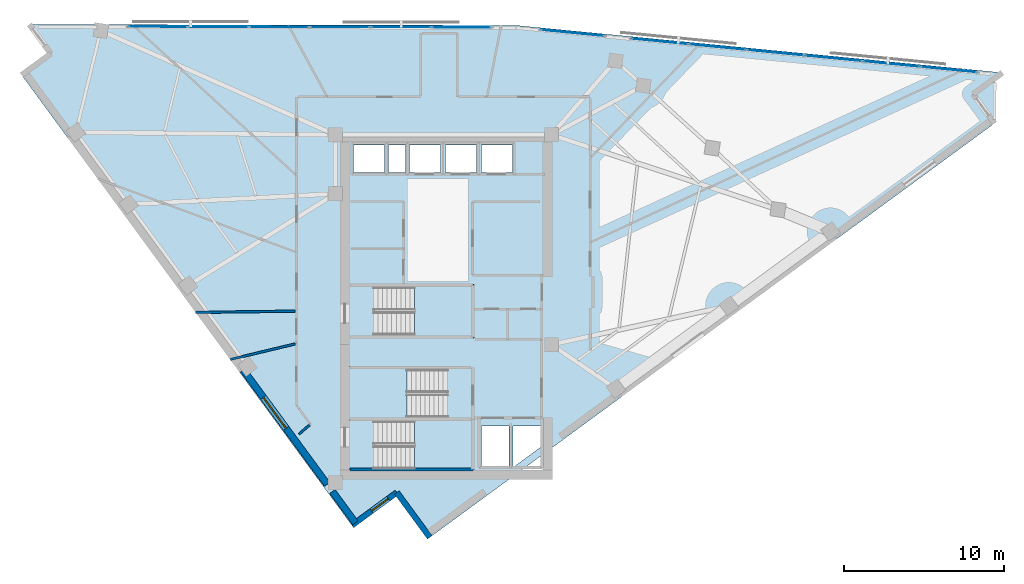
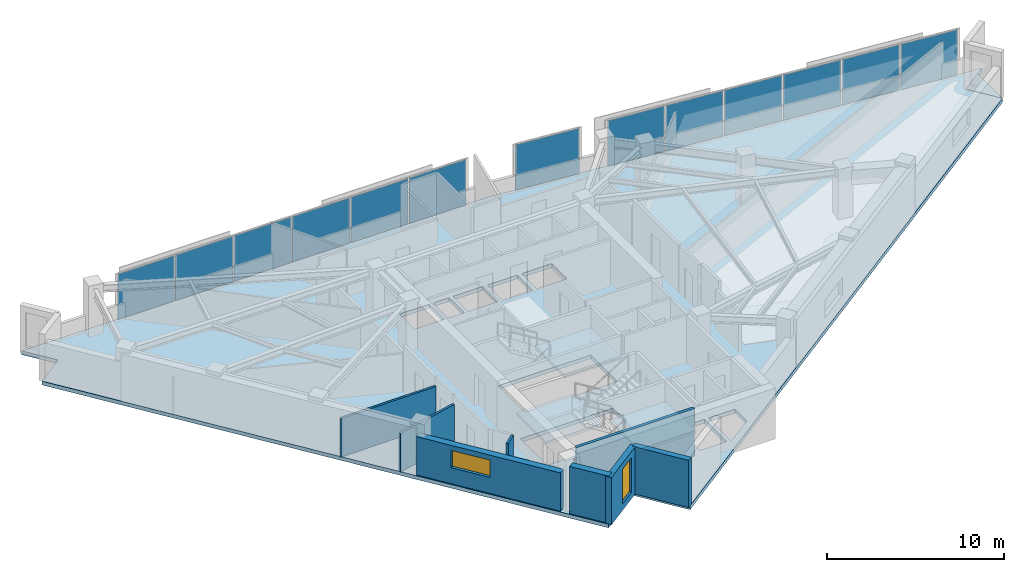
# One storey, part 7 of 13: 13 plates, 8 walls, 5 slabs, 2 windows, 2 openings, 6 elements without a shape of their own.
"""IFC4 building model written with IfcOpenShell, lengths in metres."""

from ifc_helpers import new_model, si_unit, direction, frame, frame_2d, origin, origin_2d, place, context, subcontext, project, spatial, polyline, rectangle, outline, extrude, material, layer, layer_set, type_object, element, fill, aggregate, save


model = new_model("IFC4")

# Units and contexts
model_context = context("Model", 3, precision=1e-05, world=origin(), true_north=direction((0.0, 1.0)))
body_context = subcontext(model_context, "Body", "Model", "MODEL_VIEW")
ifc_project = project(units=[si_unit("LENGTHUNIT", "METRE"), si_unit("AREAUNIT", "SQUARE_METRE"), si_unit("VOLUMEUNIT", "CUBIC_METRE"), si_unit("PLANEANGLEUNIT", "RADIAN"), si_unit("MASSUNIT", "GRAM", prefix="KILO")], contexts=[model_context])

# Site, building, storey
site_placement = place(None, origin())
site = spatial("IfcSite", under=ifc_project, at=site_placement, CompositionType="ELEMENT")
building_placement = place(site_placement, origin())
building = spatial("IfcBuilding", under=site, at=building_placement, Name="Narakoshi Arena Tower", CompositionType="ELEMENT")
storey_placement = place(building_placement, frame((0.0, 0.0, 239.6201171875)))
storey = spatial("IfcBuildingStorey", under=building, at=storey_placement, Name="L65", CompositionType="ELEMENT", Elevation=239.6201171875)

# Curtain wall, plates
ifc_material_1 = material(Name="Anodised bronze aluminium 6063-T6", Category="aluminium")
curtain_wall_type = type_object("IfcCurtainWallType", Name="CW-HYP-HIGH", PredefinedType="NOTDEFINED", material=ifc_material_1)
curtain_wall_1_placement = place(storey_placement, origin())
curtain_wall_1 = element("IfcCurtainWall", 1, at=curtain_wall_1_placement, inside=storey, type_object=curtain_wall_type, Name="L65 Folded Hypotenuse Curtain Wall 1-1", PredefinedType="NOTDEFINED")
ifc_material_2 = material(Name="Bronze-tinted low-E laminated glass", Category="glass")
ifc_layer_1 = layer(ifc_material_2, 0.0439453125)
ifc_layer_set_1 = layer_set([ifc_layer_1], Name="Bronze-tinted low-E laminated glass")
plate_type = type_object("IfcPlateType", Name="PLT-GLZ-44", PredefinedType="CURTAIN_PANEL", material=ifc_layer_set_1)
plate_1_placement = place(storey_placement, frame((110.45458984375, 60.593505859375, 0.06494140625), z_axis=(0.0, 0.0, 1.0), x_axis=(-0.995298860454, 0.096851320996, 0.0)))
plate_1 = element("IfcPlate", 2, at=plate_1_placement, type_object=plate_type, Name="CW-03 panel 1.1", PredefinedType="CURTAIN_PANEL", context=body_context, shape_type="SweptSolid", body=[
    extrude(rectangle(XDim=3.52880859375, YDim=0.0439453125, at=origin_2d()), origin(), (0.0, 0.0, 1.0), 3.1298828125),
])
plate_2_placement = place(storey_placement, frame((106.8427734375, 60.945068359375, 0.06494140625), z_axis=(0.0, 0.0, 1.0), x_axis=(-0.995298860454, 0.096851320996, 0.0)))
plate_2 = element("IfcPlate", 3, at=plate_2_placement, type_object=plate_type, Name="CW-03 panel 2.1", PredefinedType="CURTAIN_PANEL", context=body_context, shape_type="SweptSolid", body=[
    extrude(rectangle(XDim=3.568603515625, YDim=0.0439453125, at=origin_2d()), origin(), (0.0, 0.0, 1.0), 3.1298828125),
])
plate_3_placement = place(storey_placement, frame((103.211181640625, 61.29833984375, 0.06494140625), z_axis=(0.0, 0.0, 1.0), x_axis=(-0.995298860454, 0.096851320996, 0.0)))
plate_3 = element("IfcPlate", 4, at=plate_3_placement, type_object=plate_type, Name="CW-03 panel 3.1", PredefinedType="CURTAIN_PANEL", context=body_context, shape_type="SweptSolid", body=[
    extrude(rectangle(XDim=3.568603515625, YDim=0.0439453125, at=origin_2d()), origin(), (0.0, 0.0, 1.0), 3.1298828125),
])
plate_4_placement = place(storey_placement, frame((99.579833984375, 61.65185546875, 0.06494140625), z_axis=(0.0, 0.0, 1.0), x_axis=(-0.995298860454, 0.096851320996, 0.0)))
plate_4 = element("IfcPlate", 5, at=plate_4_placement, type_object=plate_type, Name="CW-03 panel 4.1", PredefinedType="CURTAIN_PANEL", context=body_context, shape_type="SweptSolid", body=[
    extrude(rectangle(XDim=3.568603515625, YDim=0.0439453125, at=origin_2d()), origin(), (0.0, 0.0, 1.0), 3.1298828125),
])
plate_5_placement = place(storey_placement, frame((95.9482421875, 62.005126953125, 0.06494140625), z_axis=(0.0, 0.0, 1.0), x_axis=(-0.995298860454, 0.096851320996, 0.0)))
plate_5 = element("IfcPlate", 6, at=plate_5_placement, type_object=plate_type, Name="CW-03 panel 5.1", PredefinedType="CURTAIN_PANEL", context=body_context, shape_type="SweptSolid", body=[
    extrude(rectangle(XDim=3.568603515625, YDim=0.0439453125, at=origin_2d()), origin(), (0.0, 0.0, 1.0), 3.1298828125),
])
plate_6_placement = place(storey_placement, frame((92.33642578125, 62.356689453125, 0.06494140625), z_axis=(0.0, 0.0, 1.0), x_axis=(-0.995298860454, 0.096851320996, 0.0)))
plate_6 = element("IfcPlate", 7, at=plate_6_placement, type_object=plate_type, Name="CW-03 panel 6.1", PredefinedType="CURTAIN_PANEL", context=body_context, shape_type="SweptSolid", body=[
    extrude(rectangle(XDim=3.52880859375, YDim=0.0439453125, at=origin_2d()), origin(), (0.0, 0.0, 1.0), 3.1298828125),
])
aggregate(curtain_wall_1, [plate_1, plate_2, plate_3, plate_4, plate_5, plate_6])

# Curtain wall, plate
curtain_wall_2_placement = place(storey_placement, origin())
curtain_wall_2 = element("IfcCurtainWall", 8, at=curtain_wall_2_placement, inside=storey, type_object=curtain_wall_type, Name="L65 Folded Hypotenuse Curtain Wall 1-2", PredefinedType="NOTDEFINED")
plate_7_placement = place(storey_placement, frame((86.862060546875, 62.889404296875, 0.06494140625), z_axis=(0.0, 0.0, 1.0), x_axis=(-0.995299683896, 0.096842858471, 0.0)))
plate_7 = element("IfcPlate", 9, at=plate_7_placement, type_object=plate_type, Name="CW-03 panel 1.1", PredefinedType="CURTAIN_PANEL", context=body_context, shape_type="SweptSolid", body=[
    extrude(rectangle(XDim=3.9560546875, YDim=0.0439453125, at=origin_2d()), origin(), (0.0, 0.0, 1.0), 3.1298828125),
])
aggregate(curtain_wall_2, [plate_7])

# Curtain wall, plates
curtain_wall_3_placement = place(storey_placement, origin())
curtain_wall_3 = element("IfcCurtainWall", 10, at=curtain_wall_3_placement, inside=storey, type_object=curtain_wall_type, Name="L65 Folded Hypotenuse Curtain Wall 2-1", PredefinedType="NOTDEFINED")
plate_8_placement = place(storey_placement, frame((79.907470703125, 63.239501953125, 0.06494140625), z_axis=(0.0, 0.0, 1.0), x_axis=(-0.999998343986, 0.001819896899, 0.0)))
plate_8 = element("IfcPlate", 11, at=plate_8_placement, type_object=plate_type, Name="CW-03 panel 1.1", PredefinedType="CURTAIN_PANEL", context=body_context, shape_type="SweptSolid", body=[
    extrude(rectangle(XDim=3.689697265625, YDim=0.0439453125, at=origin_2d()), origin(), (0.0, 0.0, 1.0), 3.1298828125),
])
plate_9_placement = place(storey_placement, frame((76.11767578125, 63.246337890625, 0.06494140625), z_axis=(0.0, 0.0, 1.0), x_axis=(-0.999998343986, 0.001819896899, 0.0)))
plate_9 = element("IfcPlate", 12, at=plate_9_placement, type_object=plate_type, Name="CW-03 panel 2.1", PredefinedType="CURTAIN_PANEL", context=body_context, shape_type="SweptSolid", body=[
    extrude(rectangle(XDim=3.729736328125, YDim=0.0439453125, at=origin_2d()), origin(), (0.0, 0.0, 1.0), 3.1298828125),
])
plate_10_placement = place(storey_placement, frame((72.307861328125, 63.25341796875, 0.06494140625), z_axis=(0.0, 0.0, 1.0), x_axis=(-0.999998343986, 0.001819896899, 0.0)))
plate_10 = element("IfcPlate", 13, at=plate_10_placement, type_object=plate_type, Name="CW-03 panel 3.1", PredefinedType="CURTAIN_PANEL", context=body_context, shape_type="SweptSolid", body=[
    extrude(rectangle(XDim=3.729736328125, YDim=0.0439453125, at=origin_2d()), origin(), (0.0, 0.0, 1.0), 3.1298828125),
])
plate_11_placement = place(storey_placement, frame((68.498291015625, 63.26025390625, 0.06494140625), z_axis=(0.0, 0.0, 1.0), x_axis=(-0.999998343986, 0.001819896899, 0.0)))
plate_11 = element("IfcPlate", 14, at=plate_11_placement, type_object=plate_type, Name="CW-03 panel 4.1", PredefinedType="CURTAIN_PANEL", context=body_context, shape_type="SweptSolid", body=[
    extrude(rectangle(XDim=3.729736328125, YDim=0.0439453125, at=origin_2d()), origin(), (0.0, 0.0, 1.0), 3.1298828125),
])
plate_12_placement = place(storey_placement, frame((64.6884765625, 63.26708984375, 0.06494140625), z_axis=(0.0, 0.0, 1.0), x_axis=(-0.999998343986, 0.001819896899, 0.0)))
plate_12 = element("IfcPlate", 15, at=plate_12_placement, type_object=plate_type, Name="CW-03 panel 5.1", PredefinedType="CURTAIN_PANEL", context=body_context, shape_type="SweptSolid", body=[
    extrude(rectangle(XDim=3.729736328125, YDim=0.0439453125, at=origin_2d()), origin(), (0.0, 0.0, 1.0), 3.1298828125),
])
plate_13_placement = place(storey_placement, frame((60.898681640625, 63.274169921875, 0.06494140625), z_axis=(0.0, 0.0, 1.0), x_axis=(-0.999998343986, 0.001819896899, 0.0)))
plate_13 = element("IfcPlate", 16, at=plate_13_placement, type_object=plate_type, Name="CW-03 panel 6.1", PredefinedType="CURTAIN_PANEL", context=body_context, shape_type="SweptSolid", body=[
    extrude(rectangle(XDim=3.689697265625, YDim=0.0439453125, at=origin_2d()), origin(), (0.0, 0.0, 1.0), 3.1298828125),
])
aggregate(curtain_wall_3, [plate_8, plate_9, plate_10, plate_11, plate_12, plate_13])

# Stair, slab
ifc_material_3 = material(Name="Concrete C45/55", Category="concrete")
stair_type = type_object("IfcStairType", Name="STR-CORE-352", PredefinedType="TWO_STRAIGHT_RUN_STAIR", material=ifc_material_3)
stair_1_placement = place(storey_placement, origin())
stair_1 = element("IfcStair", 17, at=stair_1_placement, inside=storey, type_object=stair_type, Name="L65 Core Escape Stair ST1", PredefinedType="TWO_STRAIGHT_RUN_STAIR")
ifc_layer_2 = layer(ifc_material_3, 0.18994140625)
ifc_layer_set_2 = layer_set([ifc_layer_2], Name="Concrete C45/55")
slab_type_1 = type_object("IfcSlabType", Name="SLB-LND-190", PredefinedType="LANDING", material=ifc_layer_set_2)
slab_1_placement = place(storey_placement, frame((0.0, 0.0, 1.56982421875)))
slab_1 = element("IfcSlab", 18, at=slab_1_placement, type_object=slab_type_1, Name="ST1 landing 1", PredefinedType="LANDING", context=body_context, shape_type="SweptSolid", body=[
    extrude(outline(polyline([(76.965087890625, 35.3701171875), (80.679931640625, 35.3701171875), (80.679931640625, 38.72998046875), (76.965087890625, 38.72998046875), (76.965087890625, 35.3701171875)])), origin(), (0.0, 0.0, 1.0), 0.18994140625),
])
aggregate(stair_1, [slab_1])

stair_2_placement = place(storey_placement, origin())
stair_2 = element("IfcStair", 19, at=stair_2_placement, inside=storey, type_object=stair_type, Name="L65 Core Escape Stair ST2", PredefinedType="TWO_STRAIGHT_RUN_STAIR")
slab_2_placement = place(storey_placement, frame((0.0, 0.0, 1.56982421875)))
slab_2 = element("IfcSlab", 20, at=slab_2_placement, type_object=slab_type_1, Name="ST2 landing 1", PredefinedType="LANDING", context=body_context, shape_type="SweptSolid", body=[
    extrude(outline(polyline([(72.77001953125, 38.6201171875), (76.485107421875, 38.6201171875), (76.485107421875, 41.97998046875), (72.77001953125, 41.97998046875), (72.77001953125, 38.6201171875)])), origin(), (0.0, 0.0, 1.0), 0.18994140625),
])
aggregate(stair_2, [slab_2])

stair_3_placement = place(storey_placement, origin())
stair_3 = element("IfcStair", 21, at=stair_3_placement, inside=storey, type_object=stair_type, Name="L65 Core Escape Stair ST3", PredefinedType="TWO_STRAIGHT_RUN_STAIR")
slab_3_placement = place(storey_placement, frame((0.0, 0.0, 1.56982421875)))
slab_3 = element("IfcSlab", 22, at=slab_3_placement, type_object=slab_type_1, Name="ST3 landing 1", PredefinedType="LANDING", context=body_context, shape_type="SweptSolid", body=[
    extrude(outline(polyline([(76.965087890625, 43.77001953125), (80.679931640625, 43.77001953125), (80.679931640625, 47.1298828125), (76.965087890625, 47.1298828125), (76.965087890625, 43.77001953125)])), origin(), (0.0, 0.0, 1.0), 0.18994140625),
])
aggregate(stair_3, [slab_3])

# Slabs
ifc_material_4 = material(Name="Concrete C50/60", Category="concrete")
ifc_layer_3 = layer(ifc_material_4, 0.260009765625)
ifc_layer_set_3 = layer_set([ifc_layer_3], Name="Concrete C50/60")
slab_type_2 = type_object("IfcSlabType", Name="SLB-SKY-260", PredefinedType="FLOOR", material=ifc_layer_set_3)
slab_4_placement = place(storey_placement, frame((0.0, 0.0, -0.260009765625)))
element("IfcSlab", 23, at=slab_4_placement, inside=storey, type_object=slab_type_2, Name="L65 Structural Floor Slab", PredefinedType="FLOOR", context=body_context, shape_type="SweptSolid", body=[
    extrude(outline(polyline([(77.922607421875, 31.273193359375), (113.306640625, 57.218017578125), (111.96533203125, 59.047607421875), (113.794921875, 60.38916015625), (83.33251953125, 63.353271484375), (52.84521484375, 63.40869140625), (54.1865234375, 61.5791015625), (52.357177734375, 60.23779296875), (73.044189453125, 32.024169921875), (75.858642578125, 34.087890625), (77.922607421875, 31.273193359375)]), holes=[polyline([(80.5, 35.550048828125), (74.47998046875, 35.550048828125), (74.47998046875, 38.550048828125), (80.5, 38.550048828125), (80.5, 35.550048828125)]), polyline([(82.89990234375, 35.75), (81.14990234375, 35.75), (81.14990234375, 38.25), (82.89990234375, 38.25), (82.89990234375, 35.75)]), polyline([(84.89990234375, 36.947509765625), (83.266845703125, 35.75), (83.14990234375, 35.75), (83.14990234375, 38.25), (84.89990234375, 38.25), (84.89990234375, 36.947509765625)]), polyline([(72.949951171875, 38.800048828125), (72.949951171875, 41.800048828125), (78.969970703125, 41.800048828125), (78.969970703125, 38.800048828125), (72.949951171875, 38.800048828125)]), polyline([(74.47998046875, 43.949951171875), (74.47998046875, 46.949951171875), (80.5, 46.949951171875), (80.5, 43.949951171875), (74.47998046875, 43.949951171875)]), polyline([(75.10009765625, 54.14990234375), (73.14990234375, 54.14990234375), (73.14990234375, 55.85009765625), (75.10009765625, 55.85009765625), (75.10009765625, 54.14990234375)]), polyline([(76.39990234375, 54.14990234375), (75.35009765625, 54.14990234375), (75.35009765625, 55.85009765625), (76.39990234375, 55.85009765625), (76.39990234375, 54.14990234375)]), polyline([(78.60009765625, 54.14990234375), (76.64990234375, 54.14990234375), (76.64990234375, 55.85009765625), (78.60009765625, 55.85009765625), (78.60009765625, 54.14990234375)]), polyline([(78.89990234375, 54.14990234375), (78.89990234375, 55.85009765625), (80.85009765625, 55.85009765625), (80.85009765625, 54.14990234375), (78.89990234375, 54.14990234375)]), polyline([(81.14990234375, 54.14990234375), (81.14990234375, 55.85009765625), (83.10009765625, 55.85009765625), (83.10009765625, 54.14990234375), (81.14990234375, 54.14990234375)])]), origin(), (0.0, 0.0, 1.0), 0.260009765625),
])
ifc_layer_4 = layer(ifc_material_3, 0.239990234375)
ifc_layer_set_4 = layer_set([ifc_layer_4], Name="Concrete C45/55")
slab_type_3 = type_object("IfcSlabType", Name="SLB-TERR-240", PredefinedType="ROOF", material=ifc_layer_set_4)
slab_5_placement = place(storey_placement, frame((0.0, 0.0, -0.240234375)))
element("IfcSlab", 24, at=slab_5_placement, inside=storey, type_object=slab_type_3, Name="L65 Corner Notch Loggia Balcony Slab", PredefinedType="ROOF", context=body_context, shape_type="SweptSolid", body=[
    extrude(outline(polyline([(113.319091796875, 60.0380859375), (111.968017578125, 59.047119140625), (113.306884765625, 57.220947265625), (113.319091796875, 60.0380859375)])), origin(), (0.0, 0.0, 1.0), 0.240234375),
])

# Wall, opening, window
ifc_material_5 = material(Name="Precast concrete C45/55", Category="concrete")
ifc_layer_5 = layer(ifc_material_5, 0.419921875)
ifc_layer_set_5 = layer_set([ifc_layer_5], Name="Precast concrete C45/55")
wall_type_1 = type_object("IfcWallType", Name="WL-POD-420", PredefinedType="SOLIDWALL", material=ifc_layer_set_5)
wall_1_placement = place(storey_placement, frame((66.232421875, 41.779296875, 0.0), z_axis=(0.0, 0.0, 1.0), x_axis=(0.591309008949, -0.806445073105, 0.0)))
wall_1 = element("IfcWall", 25, at=wall_1_placement, inside=storey, type_object=wall_type_1, Name="L65 Architectural Concrete Facade Wall LEGB-3", PredefinedType="SOLIDWALL", context=body_context, shape_type="SweptSolid", body=[
    extrude(rectangle(XDim=8.908447265625, YDim=0.419921875, at=frame_2d((4.4541015625, 0.0))), origin(), (0.0, 0.0, 1.0), 2.644775390625),
])
opening_1_placement = place(wall_1_placement, frame((2.14892578125, 0.0, 1.10009765625)))
opening_1 = element("IfcOpeningElement", 26, at=opening_1_placement, cuts=wall_1, Name="Opening WN-04", PredefinedType="OPENING", context=body_context, shape_type="SweptSolid", body=[
    extrude(rectangle(XDim=2.39990234375, YDim=1.199951171875, at=frame_2d((1.199951171875, 0.60009765625))), frame((0.0, 0.219970703125, 0.0), z_axis=(0.0, -1.0, 0.0), x_axis=(1.0, 0.0, 0.0)), (0.0, 0.0, 1.0), 0.43994140625),
])
window_type_1 = type_object("IfcWindowType", Name="WIN-SLT-24x12", PartitioningType="SINGLE_PANEL", PredefinedType="WINDOW", material=ifc_material_2)
window_1_placement = place(opening_1_placement, origin())
window_1 = element("IfcWindow", 27, at=window_1_placement, inside=storey, type_object=window_type_1, Name="L65 LEGB3 Horizontal Slot Window 1", OverallHeight=1.199951171875, OverallWidth=2.39990234375, PartitioningType="SINGLE_PANEL", PredefinedType="WINDOW", context=body_context, shape_type="SweptSolid", body=[
    extrude(rectangle(XDim=2.39990234375, YDim=1.199951171875, at=frame_2d((1.199951171875, 0.60009765625))), frame((0.0, 0.030029296875, 0.0), z_axis=(0.0, -1.0, 0.0), x_axis=(1.0, 0.0, 0.0)), (0.0, 0.0, 1.0), 0.06005859375),
])
fill(opening_1, window_1)

# Wall
wall_2_placement = place(storey_placement, frame((71.826416015625, 34.14990234375, 0.0), z_axis=(0.0, 0.0, 1.0), x_axis=(0.591315835946, -0.806440067308, 0.0)))
element("IfcWall", 28, at=wall_2_placement, inside=storey, type_object=wall_type_1, Name="L65 Architectural Concrete Facade Wall LEGB-4", PredefinedType="SOLIDWALL", context=body_context, shape_type="SweptSolid", body=[
    extrude(rectangle(XDim=2.434326171875, YDim=0.419921875, at=frame_2d((1.21728515625, 0.0))), origin(), (0.0, 0.0, 1.0), 3.259765625),
])

# Wall, opening, window
wall_3_placement = place(storey_placement, frame((73.044189453125, 32.024169921875, 0.0), z_axis=(0.0, 0.0, 1.0), x_axis=(0.806433906667, 0.591324237774, 0.0)))
wall_3 = element("IfcWall", 29, at=wall_3_placement, inside=storey, type_object=wall_type_1, Name="L65 Re-Entrant Corner Notch Wall NTA-1", PredefinedType="SOLIDWALL", context=body_context, shape_type="SweptSolid", body=[
    extrude(rectangle(XDim=3.489990234375, YDim=0.360107421875, at=frame_2d((1.7451171875, 0.0))), origin(), (0.0, 0.0, 1.0), 3.259765625),
])
opening_2_placement = place(wall_3_placement, frame((1.535400390625, 0.0, 0.449951171875)))
opening_2 = element("IfcOpeningElement", 30, at=opening_2_placement, cuts=wall_3, Name="Opening WN-06", PredefinedType="OPENING", context=body_context, shape_type="SweptSolid", body=[
    extrude(rectangle(XDim=1.300048828125, YDim=2.39990234375, at=frame_2d((0.64990234375, 1.199951171875))), frame((0.0, 0.18994140625, 0.0), z_axis=(0.0, -1.0, 0.0), x_axis=(1.0, 0.0, 0.0)), (0.0, 0.0, 1.0), 0.380126953125),
])
window_type_2 = type_object("IfcWindowType", Name="WIN-NTC-16x24", PartitioningType="SINGLE_PANEL", PredefinedType="WINDOW", material=ifc_material_2)
window_2_placement = place(opening_2_placement, origin())
window_2 = element("IfcWindow", 31, at=window_2_placement, inside=storey, type_object=window_type_2, Name="L65 Corner Notch Window NTA", OverallHeight=2.39990234375, OverallWidth=1.300048828125, PartitioningType="SINGLE_PANEL", PredefinedType="WINDOW", context=body_context, shape_type="SweptSolid", body=[
    extrude(rectangle(XDim=1.300048828125, YDim=2.39990234375, at=frame_2d((0.64990234375, 1.199951171875))), frame((0.0, 0.030029296875, 0.0), z_axis=(0.0, -1.0, 0.0), x_axis=(1.0, 0.0, 0.0)), (0.0, 0.0, 1.0), 0.06005859375),
])
fill(opening_2, window_2)

# Walls
wall_4_placement = place(storey_placement, frame((75.858642578125, 34.087890625, 0.0), z_axis=(0.0, 0.0, 1.0), x_axis=(0.591336371625, -0.806425009281, 0.0)))
element("IfcWall", 32, at=wall_4_placement, inside=storey, type_object=wall_type_1, Name="L65 Re-Entrant Corner Notch Wall NTA-2", PredefinedType="SOLIDWALL", context=body_context, shape_type="SweptSolid", body=[
    extrude(rectangle(XDim=3.490234375, YDim=0.360107421875, at=frame_2d((1.7451171875, 0.0))), origin(), (0.0, 0.0, 1.0), 3.259765625),
])
ifc_layer_6 = layer(ifc_material_4, 0.35009765625)
ifc_layer_set_6 = layer_set([ifc_layer_6], Name="Concrete C50/60")
wall_type_2 = type_object("IfcWallType", Name="WL-SHAFT-350", PredefinedType="SOLIDWALL", material=ifc_layer_set_6)
wall_5_placement = place(storey_placement, frame((72.919921875, 35.52001953125, -0.260009765625), z_axis=(0.0, 0.0, 1.0), x_axis=(1.0, 0.0, 0.0)))
element("IfcWall", 33, at=wall_5_placement, inside=storey, type_object=wall_type_2, Name="L65 Core Wall ST1-S", PredefinedType="SOLIDWALL", context=body_context, shape_type="SweptSolid", body=[
    extrude(rectangle(XDim=7.7001953125, YDim=0.199951171875, at=frame_2d((3.85009765625, 0.0))), origin(), (0.0, 0.0, 1.0), 3.519775390625),
])
ifc_material_6 = material(Name="Moisture-resistant cement-board partition")
ifc_layer_7 = layer(ifc_material_6, 0.14501953125)
ifc_layer_set_7 = layer_set([ifc_layer_7], Name="Moisture-resistant cement-board partition")
wall_type_3 = type_object("IfcWallType", Name="WL-WET-145", PredefinedType="PARTITIONING", material=ifc_layer_set_7)
wall_6_placement = place(storey_placement, frame((65.420654296875, 42.42138671875, 0.0), z_axis=(0.0, 0.0, 1.0), x_axis=(0.972554805583, 0.232673913744, 0.0)))
element("IfcWall", 34, at=wall_6_placement, inside=storey, type_object=wall_type_3, Name="L65 Inter-Room Partition 01-02", PredefinedType="PARTITIONING", context=body_context, shape_type="SweptSolid", body=[
    extrude(rectangle(XDim=4.187744140625, YDim=0.14501953125, at=frame_2d((2.09375, 0.0))), origin(), (0.0, 0.0, 1.0), 2.644775390625),
])
wall_7_placement = place(storey_placement, frame((63.258544921875, 45.3701171875, 0.0), z_axis=(0.0, 0.0, 1.0), x_axis=(0.999919530031, 0.01268595535, 0.0)))
element("IfcWall", 35, at=wall_7_placement, inside=storey, type_object=wall_type_3, Name="L65 Inter-Room Partition 02-09", PredefinedType="PARTITIONING", context=body_context, shape_type="SweptSolid", body=[
    extrude(rectangle(XDim=6.2353515625, YDim=0.14501953125, at=frame_2d((3.11767578125, 0.0))), origin(), (0.0, 0.0, 1.0), 2.644775390625),
])
wall_8_placement = place(storey_placement, frame((70.397705078125, 38.322509765625, 0.0), z_axis=(0.0, 0.0, 1.0), x_axis=(-0.75510831876, -0.655600051053, 0.0)))
element("IfcWall", 36, at=wall_8_placement, inside=storey, type_object=wall_type_3, Name="L65 Room Enclosure Partition 01-1", PredefinedType="PARTITIONING", context=body_context, shape_type="SweptSolid", body=[
    extrude(rectangle(XDim=0.88818359375, YDim=0.14501953125, at=frame_2d((0.444091796875, 0.0))), origin(), (0.0, 0.0, 1.0), 3.259765625),
])

save(model, "model.ifc")
